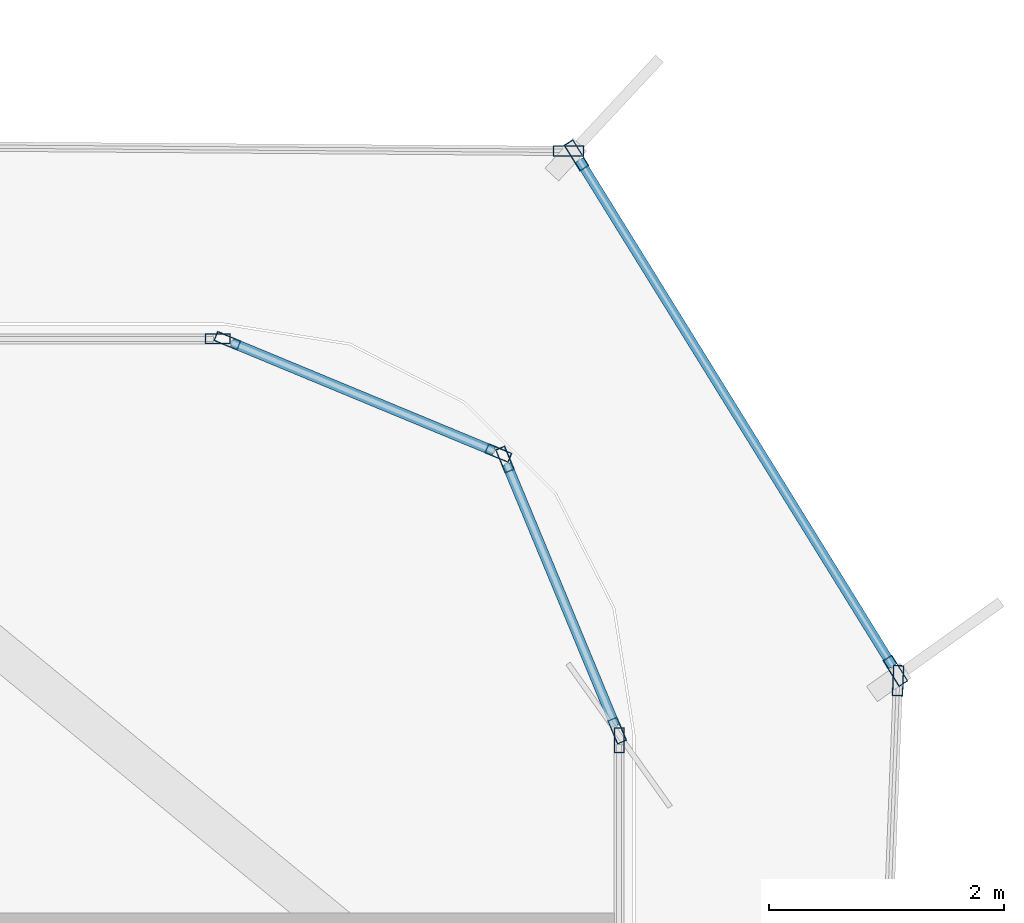
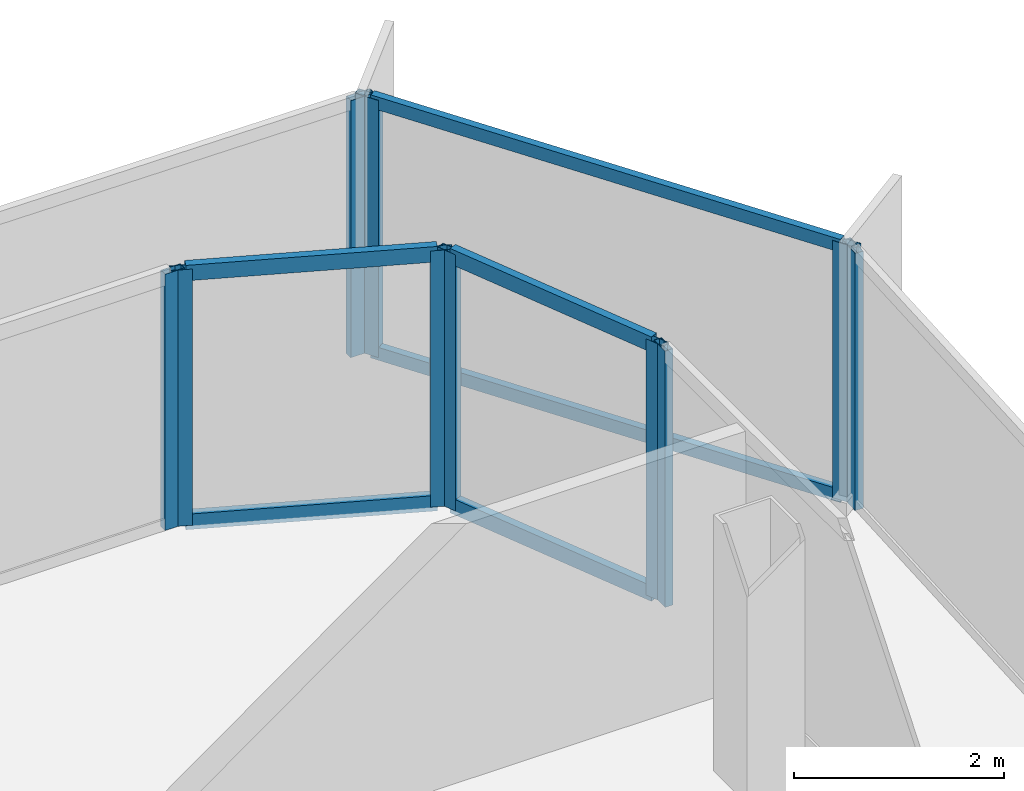
# One storey, part 8 of 15: 16 members, 7 elements without a shape of their own.
"""IFC4 building model written with IfcOpenShell, lengths in metres."""

from ifc_helpers import new_model, si_unit, direction, frame, origin, origin_2d, place, context, subcontext, project, spatial, hollow_rectangle, extrude, source, transform, mapped, material, layer, layer_set, material_profile, profile_set, type_object, element, aggregate, save


model = new_model("IFC4")

# Units and contexts
model_context = context("Model", 3, precision=1e-05, world=origin(), true_north=direction((0.0, 1.0)))
body_context = subcontext(model_context, "Body", "Model", "MODEL_VIEW")
ifc_project = project(units=[si_unit("LENGTHUNIT", "METRE"), si_unit("AREAUNIT", "SQUARE_METRE"), si_unit("VOLUMEUNIT", "CUBIC_METRE"), si_unit("PLANEANGLEUNIT", "RADIAN"), si_unit("MASSUNIT", "GRAM", prefix="KILO")], contexts=[model_context])

# Site, building, storey
site_placement = place(None, origin())
site = spatial("IfcSite", under=ifc_project, at=site_placement, CompositionType="ELEMENT")
building_placement = place(site_placement, origin())
building = spatial("IfcBuilding", under=site, at=building_placement, Name="Kolveth Station Tower", CompositionType="ELEMENT")
storey_placement = place(building_placement, frame((0.0, 0.0, 223.300048828125)))
storey = spatial("IfcBuildingStorey", under=building, at=storey_placement, Name="L63", CompositionType="ELEMENT", Elevation=223.300048828125)

# Curtain wall, member
ifc_material_1 = material(Name="Black anodized aluminium 6063-T6 and dark solar glass", Category="aluminium")
ifc_layer_1 = layer(ifc_material_1, 0.159912109375)
ifc_layer_set_1 = layer_set([ifc_layer_1], Name="Black anodized aluminium 6063-T6 and dark solar glass")
curtain_wall_type_1 = type_object("IfcCurtainWallType", Name="OUTER SKIN CW-OS", PredefinedType="NOTDEFINED", material=ifc_layer_set_1)
curtain_wall_1_placement = place(storey_placement, origin())
curtain_wall_1 = element("IfcCurtainWall", 1, at=curtain_wall_1_placement, inside=storey, type_object=curtain_wall_type_1, Name="L63 Outer Ventilated Skin Curtain Wall 2", PredefinedType="NOTDEFINED")
ifc_material_2 = material(Name="Black anodized aluminium 6063-T6", Category="aluminium")
ifc_material_profile_1 = material_profile(ifc_material_2, hollow_rectangle(XDim=0.090087890625, YDim=0.260009765625, WallThickness=0.0048828125, at=origin_2d()), Name="ALU-90x260x5")
ifc_profile_set_1 = profile_set([ifc_material_profile_1], Name="Black anodized aluminium 6063-T6")
member_type_1 = type_object("IfcMemberType", Name="FIN MULLION ML-OS", PredefinedType="MULLION", material=ifc_profile_set_1)
shared_shape_1 = source(origin(), body_context, "Body", "SweptSolid", [
    extrude(hollow_rectangle(XDim=0.090087890625, YDim=0.260009765625, WallThickness=0.0048828125, at=origin_2d()), origin(), (0.0, 0.0, 1.0), 2.989990234375),
])
member_1_placement = place(storey_placement, frame((44.05859375, 32.265625, 0.0), z_axis=(0.0, 0.0, 1.0), x_axis=(-0.999229139588, 0.039257185308, 0.0)))
member_1 = element("IfcMember", 2, at=member_1_placement, type_object=member_type_1, Name="CW-OS mullion 2", PredefinedType="MULLION", context=body_context, shape_type="MappedRepresentation", body=[
    mapped(shared_shape_1, transform((0.0, 0.0, 0.0), x_axis=(1.0, 0.0, 0.0), y_axis=(0.0, 1.0, 0.0), z_axis=(0.0, 0.0, 1.0), scale=1.0)),
])
aggregate(curtain_wall_1, [member_1])

# Curtain wall, members
curtain_wall_2_placement = place(storey_placement, origin())
curtain_wall_2 = element("IfcCurtainWall", 3, at=curtain_wall_2_placement, inside=storey, type_object=curtain_wall_type_1, Name="L63 Outer Ventilated Skin Curtain Wall 3", PredefinedType="NOTDEFINED")
member_2_placement = place(storey_placement, frame((44.03662109375, 32.348876953125, 0.0), z_axis=(0.0, 0.0, 1.0), x_axis=(-0.850302022415, -0.52629504147, 0.0)))
member_2 = element("IfcMember", 4, at=member_2_placement, type_object=member_type_1, Name="CW-OS mullion 1", PredefinedType="MULLION", context=body_context, shape_type="MappedRepresentation", body=[
    mapped(shared_shape_1, transform((0.0, 0.0, 0.0), x_axis=(1.0, 0.0, 0.0), y_axis=(0.0, 1.0, 0.0), z_axis=(0.0, 0.0, 1.0), scale=1.0)),
])
member_3_placement = place(storey_placement, frame((41.31640625, 36.743896484375, 0.0), z_axis=(0.0, 0.0, 1.0), x_axis=(-0.850302022415, -0.52629504147, 0.0)))
member_3 = element("IfcMember", 5, at=member_3_placement, type_object=member_type_1, Name="CW-OS mullion 2", PredefinedType="MULLION", context=body_context, shape_type="MappedRepresentation", body=[
    mapped(shared_shape_1, transform((0.0, 0.0, 0.0), x_axis=(1.0, 0.0, 0.0), y_axis=(0.0, 1.0, 0.0), z_axis=(0.0, 0.0, 1.0), scale=1.0)),
])

# Curtain wall, member
curtain_wall_3_placement = place(storey_placement, origin())
curtain_wall_3 = element("IfcCurtainWall", 6, at=curtain_wall_3_placement, inside=storey, type_object=curtain_wall_type_1, Name="L63 Outer Ventilated Skin Curtain Wall 4", PredefinedType="NOTDEFINED")
member_4_placement = place(storey_placement, frame((41.247802734375, 36.782470703125, 0.0), z_axis=(0.0, 0.0, 1.0), x_axis=(-0.007382150183, -0.999972751558, 0.0)))
member_4 = element("IfcMember", 7, at=member_4_placement, type_object=member_type_1, Name="CW-OS mullion 1", PredefinedType="MULLION", context=body_context, shape_type="MappedRepresentation", body=[
    mapped(shared_shape_1, transform((0.0, 0.0, 0.0), x_axis=(1.0, 0.0, 0.0), y_axis=(0.0, 1.0, 0.0), z_axis=(0.0, 0.0, 1.0), scale=1.0)),
])
aggregate(curtain_wall_3, [member_4])

ifc_material_3 = material(Name="Aluminium 6063-T6 and triple low-E dark glass", Category="aluminium")
ifc_layer_2 = layer(ifc_material_3, 0.199951171875)
ifc_layer_set_2 = layer_set([ifc_layer_2], Name="Aluminium 6063-T6 and triple low-E dark glass")
curtain_wall_type_2 = type_object("IfcCurtainWallType", Name="CurtainWall_CW-Z3", PredefinedType="NOTDEFINED", material=ifc_layer_set_2)
curtain_wall_4_placement = place(storey_placement, origin())
curtain_wall_4 = element("IfcCurtainWall", 8, at=curtain_wall_4_placement, inside=storey, type_object=curtain_wall_type_2, Name="L63 Inner Thermal Curtain Wall 3", PredefinedType="NOTDEFINED")
ifc_material_profile_2 = material_profile(ifc_material_2, hollow_rectangle(XDim=0.0849609375, YDim=0.215087890625, WallThickness=0.0048828125, at=origin_2d()), Name="ALU-85x215x5")
ifc_profile_set_2 = profile_set([ifc_material_profile_2], Name="Black anodized aluminium 6063-T6")
member_type_2 = type_object("IfcMemberType", Name="Mullion_ML3", PredefinedType="MULLION", material=ifc_profile_set_2)
shared_shape_2 = source(origin(), body_context, "Body", "SweptSolid", [
    extrude(hollow_rectangle(XDim=0.0849609375, YDim=0.215087890625, WallThickness=0.0048828125, at=origin_2d()), origin(), (0.0, 0.0, 1.0), 2.97998046875),
])
member_5_placement = place(storey_placement, frame((41.679931640625, 31.757568359375, 0.0), z_axis=(0.0, 0.0, 1.0), x_axis=(-1.0, 0.0, 0.0)))
member_5 = element("IfcMember", 9, at=member_5_placement, type_object=member_type_2, Name="CW-Z3 mullion 2", PredefinedType="MULLION", context=body_context, shape_type="MappedRepresentation", body=[
    mapped(shared_shape_2, transform((0.0, 0.0, 0.0), x_axis=(1.0, 0.0, 0.0), y_axis=(0.0, 1.0, 0.0), z_axis=(0.0, 0.0, 1.0), scale=1.0)),
])
aggregate(curtain_wall_4, [member_5])

# Curtain wall, members
curtain_wall_5_placement = place(storey_placement, origin())
curtain_wall_5 = element("IfcCurtainWall", 10, at=curtain_wall_5_placement, inside=storey, type_object=curtain_wall_type_2, Name="L63 Inner Thermal Curtain Wall 4", PredefinedType="NOTDEFINED")
member_6_placement = place(storey_placement, frame((41.663818359375, 31.83935546875, 0.0), z_axis=(0.0, 0.0, 1.0), x_axis=(-0.923875488975, -0.382693194181, 0.0)))
member_6 = element("IfcMember", 11, at=member_6_placement, type_object=member_type_2, Name="CW-Z3 mullion 1", PredefinedType="MULLION", context=body_context, shape_type="MappedRepresentation", body=[
    mapped(shared_shape_2, transform((0.0, 0.0, 0.0), x_axis=(1.0, 0.0, 0.0), y_axis=(0.0, 1.0, 0.0), z_axis=(0.0, 0.0, 1.0), scale=1.0)),
])
member_7_placement = place(storey_placement, frame((40.706298828125, 34.150634765625, 0.0), z_axis=(0.0, 0.0, 1.0), x_axis=(-0.923875488975, -0.382693194181, 0.0)))
member_7 = element("IfcMember", 12, at=member_7_placement, type_object=member_type_2, Name="CW-Z3 mullion 2", PredefinedType="MULLION", context=body_context, shape_type="MappedRepresentation", body=[
    mapped(shared_shape_2, transform((0.0, 0.0, 0.0), x_axis=(1.0, 0.0, 0.0), y_axis=(0.0, 1.0, 0.0), z_axis=(0.0, 0.0, 1.0), scale=1.0)),
])

curtain_wall_6_placement = place(storey_placement, origin())
curtain_wall_6 = element("IfcCurtainWall", 13, at=curtain_wall_6_placement, inside=storey, type_object=curtain_wall_type_2, Name="L63 Inner Thermal Curtain Wall 5", PredefinedType="NOTDEFINED")
member_8_placement = place(storey_placement, frame((40.650634765625, 34.206298828125, 0.0), z_axis=(0.0, 0.0, 1.0), x_axis=(-0.382693194181, -0.923875488975, 0.0)))
member_8 = element("IfcMember", 14, at=member_8_placement, type_object=member_type_2, Name="CW-Z3 mullion 1", PredefinedType="MULLION", context=body_context, shape_type="MappedRepresentation", body=[
    mapped(shared_shape_2, transform((0.0, 0.0, 0.0), x_axis=(1.0, 0.0, 0.0), y_axis=(0.0, 1.0, 0.0), z_axis=(0.0, 0.0, 1.0), scale=1.0)),
])
member_9_placement = place(storey_placement, frame((38.33935546875, 35.163818359375, 0.0), z_axis=(0.0, 0.0, 1.0), x_axis=(-0.382693194181, -0.923875488975, 0.0)))
member_9 = element("IfcMember", 15, at=member_9_placement, type_object=member_type_2, Name="CW-Z3 mullion 2", PredefinedType="MULLION", context=body_context, shape_type="MappedRepresentation", body=[
    mapped(shared_shape_2, transform((0.0, 0.0, 0.0), x_axis=(1.0, 0.0, 0.0), y_axis=(0.0, 1.0, 0.0), z_axis=(0.0, 0.0, 1.0), scale=1.0)),
])

# Curtain wall, member
curtain_wall_7_placement = place(storey_placement, origin())
curtain_wall_7 = element("IfcCurtainWall", 16, at=curtain_wall_7_placement, inside=storey, type_object=curtain_wall_type_2, Name="L63 Inner Thermal Curtain Wall 6", PredefinedType="NOTDEFINED")
member_10_placement = place(storey_placement, frame((38.257568359375, 35.179931640625, 0.0), z_axis=(0.0, 0.0, 1.0), x_axis=(0.0, -1.0, 0.0)))
member_10 = element("IfcMember", 17, at=member_10_placement, type_object=member_type_2, Name="CW-Z3 mullion 1", PredefinedType="MULLION", context=body_context, shape_type="MappedRepresentation", body=[
    mapped(shared_shape_2, transform((0.0, 0.0, 0.0), x_axis=(1.0, 0.0, 0.0), y_axis=(0.0, 1.0, 0.0), z_axis=(0.0, 0.0, 1.0), scale=1.0)),
])
aggregate(curtain_wall_7, [member_10])

# Member
ifc_material_profile_3 = material_profile(ifc_material_2, hollow_rectangle(XDim=0.0849609375, YDim=0.179931640625, WallThickness=0.0048828125, at=origin_2d()), Name="ALU-85x180x5")
ifc_profile_set_3 = profile_set([ifc_material_profile_3], Name="Black anodized aluminium 6063-T6")
member_type_3 = type_object("IfcMemberType", Name="Transom_TR3", PredefinedType="USERDEFINED", material=ifc_profile_set_3)
shared_shape_3 = source(origin(), body_context, "Body", "SweptSolid", [
    extrude(hollow_rectangle(XDim=0.0849609375, YDim=0.179931640625, WallThickness=0.0048828125, at=origin_2d()), origin(), (0.0, 0.0, 1.0), 2.417236328125),
])
member_11_placement = place(storey_placement, frame((41.6474609375, 31.87841796875, 0.04248046875), z_axis=(-0.382699687013, 0.923872799448, 0.0), x_axis=(-0.923872799448, -0.382699687013, 0.0)))
member_11 = element("IfcMember", 18, at=member_11_placement, type_object=member_type_3, Name="CW-Z3 transom 1.1", ObjectType="TRANSOM", PredefinedType="USERDEFINED", context=body_context, shape_type="MappedRepresentation", body=[
    mapped(shared_shape_3, transform((0.0, 0.0, 0.0), x_axis=(1.0, 0.0, 0.0), y_axis=(0.0, 1.0, 0.0), z_axis=(0.0, 0.0, 1.0), scale=1.0)),
])

member_12_placement = place(storey_placement, frame((41.6474609375, 31.87841796875, 2.9375), z_axis=(-0.382699687013, 0.923872799448, 0.0), x_axis=(-0.923872799448, -0.382699687013, 0.0)))
member_12 = element("IfcMember", 19, at=member_12_placement, type_object=member_type_3, Name="CW-Z3 transom 1.2", ObjectType="TRANSOM", PredefinedType="USERDEFINED", context=body_context, shape_type="MappedRepresentation", body=[
    mapped(shared_shape_3, transform((0.0, 0.0, 0.0), x_axis=(1.0, 0.0, 0.0), y_axis=(0.0, 1.0, 0.0), z_axis=(0.0, 0.0, 1.0), scale=1.0)),
])

aggregate(curtain_wall_5, [member_6, member_7, member_11, member_12])

member_13_placement = place(storey_placement, frame((40.611572265625, 34.222412109375, 0.04248046875), z_axis=(-0.923872799448, 0.382699687013, 0.0), x_axis=(-0.382699687013, -0.923872799448, 0.0)))
member_13 = element("IfcMember", 20, at=member_13_placement, type_object=member_type_3, Name="CW-Z3 transom 1.1", ObjectType="TRANSOM", PredefinedType="USERDEFINED", context=body_context, shape_type="MappedRepresentation", body=[
    mapped(shared_shape_3, transform((0.0, 0.0, 0.0), x_axis=(1.0, 0.0, 0.0), y_axis=(0.0, 1.0, 0.0), z_axis=(0.0, 0.0, 1.0), scale=1.0)),
])

member_14_placement = place(storey_placement, frame((40.611572265625, 34.222412109375, 2.9375), z_axis=(-0.923872799448, 0.382699687013, 0.0), x_axis=(-0.382699687013, -0.923872799448, 0.0)))
member_14 = element("IfcMember", 21, at=member_14_placement, type_object=member_type_3, Name="CW-Z3 transom 1.2", ObjectType="TRANSOM", PredefinedType="USERDEFINED", context=body_context, shape_type="MappedRepresentation", body=[
    mapped(shared_shape_3, transform((0.0, 0.0, 0.0), x_axis=(1.0, 0.0, 0.0), y_axis=(0.0, 1.0, 0.0), z_axis=(0.0, 0.0, 1.0), scale=1.0)),
])

aggregate(curtain_wall_6, [member_8, member_9, member_13, member_14])

ifc_material_profile_4 = material_profile(ifc_material_2, hollow_rectangle(XDim=0.080078125, YDim=0.14990234375, WallThickness=0.0048828125, at=origin_2d()), Name="ALU-80x150x5")
ifc_profile_set_4 = profile_set([ifc_material_profile_4], Name="Black anodized aluminium 6063-T6")
member_type_4 = type_object("IfcMemberType", Name="Transom_TR-OS", PredefinedType="USERDEFINED", material=ifc_profile_set_4)
shared_shape_4 = source(origin(), body_context, "Body", "SweptSolid", [
    extrude(hollow_rectangle(XDim=0.080078125, YDim=0.14990234375, WallThickness=0.0048828125, at=origin_2d()), origin(), (0.0, 0.0, 1.0), 5.07861328125),
])
member_15_placement = place(storey_placement, frame((44.012939453125, 32.38720703125, 0.0400390625), z_axis=(-0.526295035252, 0.850302026264, 0.0), x_axis=(-0.850302026264, -0.526295035252, 0.0)))
member_15 = element("IfcMember", 22, at=member_15_placement, type_object=member_type_4, Name="CW-OS transom 1.1", ObjectType="TRANSOM", PredefinedType="USERDEFINED", context=body_context, shape_type="MappedRepresentation", body=[
    mapped(shared_shape_4, transform((0.0, 0.0, 0.0), x_axis=(1.0, 0.0, 0.0), y_axis=(0.0, 1.0, 0.0), z_axis=(0.0, 0.0, 1.0), scale=1.0)),
])

member_16_placement = place(storey_placement, frame((44.012939453125, 32.38720703125, 2.949951171875), z_axis=(-0.526295035252, 0.850302026264, 0.0), x_axis=(-0.850302026264, -0.526295035252, 0.0)))
member_16 = element("IfcMember", 23, at=member_16_placement, type_object=member_type_4, Name="CW-OS transom 1.2", ObjectType="TRANSOM", PredefinedType="USERDEFINED", context=body_context, shape_type="MappedRepresentation", body=[
    mapped(shared_shape_4, transform((0.0, 0.0, 0.0), x_axis=(1.0, 0.0, 0.0), y_axis=(0.0, 1.0, 0.0), z_axis=(0.0, 0.0, 1.0), scale=1.0)),
])

aggregate(curtain_wall_2, [member_2, member_3, member_15, member_16])

save(model, "model.ifc")
